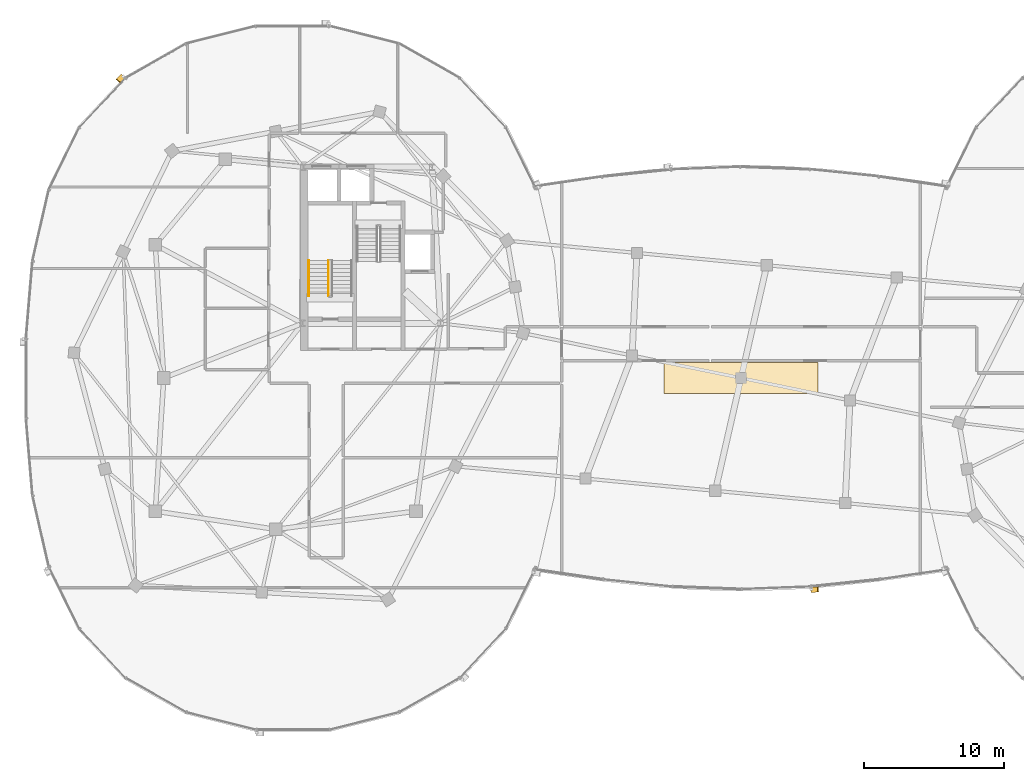
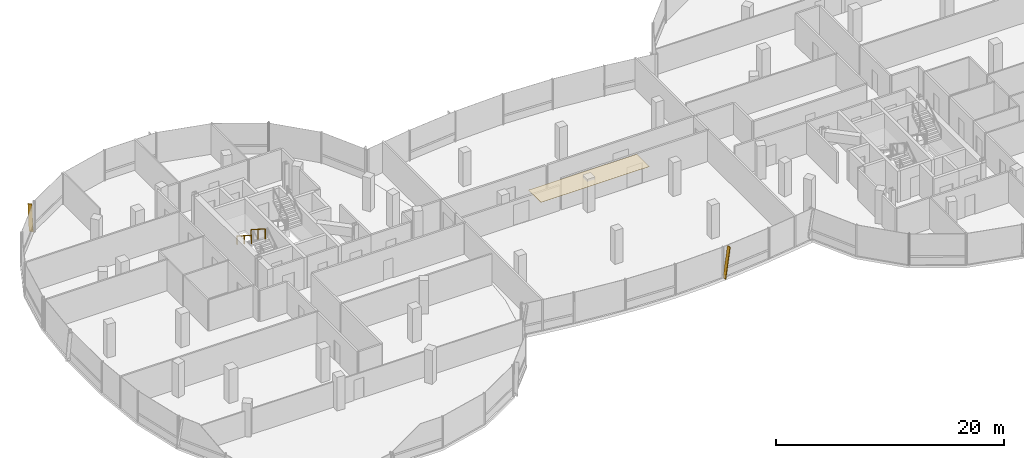
# One storey, part 23 of 26: 2 railings, 2 shading devices, 1 covering.
"""IFC4 building model written with IfcOpenShell, lengths in metres."""

from ifc_helpers import new_model, si_unit, direction, frame, origin, origin_2d, place, context, subcontext, project, spatial, polyline, rectangle, outline, extrude, material, layer, layer_set, material_profile, profile_set, type_object, element, save


model = new_model("IFC4")

# Units and contexts
model_context = context("Model", 3, precision=1e-05, world=origin(), true_north=direction((0.0, 1.0)))
body_context = subcontext(model_context, "Body", "Model", "MODEL_VIEW")
ifc_project = project(units=[si_unit("LENGTHUNIT", "METRE"), si_unit("AREAUNIT", "SQUARE_METRE"), si_unit("VOLUMEUNIT", "CUBIC_METRE"), si_unit("PLANEANGLEUNIT", "RADIAN"), si_unit("MASSUNIT", "GRAM", prefix="KILO"), si_unit("THERMODYNAMICTEMPERATUREUNIT", "KELVIN"), si_unit("POWERUNIT", "WATT")], contexts=[model_context])

# Site, building, storey
site_placement = place(None, origin())
site = spatial("IfcSite", under=ifc_project, at=site_placement, CompositionType="ELEMENT")
building_placement = place(site_placement, origin())
building = spatial("IfcBuilding", under=site, at=building_placement, Name="Cundina Bronze Exchange", CompositionType="ELEMENT")
storey_placement = place(building_placement, frame((0.0, 0.0, 264.800048828125)))
storey = spatial("IfcBuildingStorey", under=building, at=storey_placement, Name="L70", CompositionType="ELEMENT", Elevation=264.800048828125)

# Covering
ifc_material_1 = material(Name="Mineral Acoustic Ceiling Tile 18mm")
ifc_layer = layer(ifc_material_1, 0.01806640625, Name="Mineral Acoustic Ceiling Tile 18mm")
ifc_layer_set = layer_set([ifc_layer], Name="Mineral Acoustic Ceiling Tile 18mm")
covering_type = type_object("IfcCoveringType", Name="COV-CLG-AC18", PredefinedType="CEILING", material=ifc_layer_set)
covering_placement = place(storey_placement, frame((0.0, 0.0, 3.322021484375)))
element("IfcCovering", 1, at=covering_placement, inside=storey, type_object=covering_type, Name="L70 Suspended Mineral Acoustic Ceiling", PredefinedType="CEILING", context=body_context, shape_type="SweptSolid", body=[
    extrude(outline(polyline([(-5.5, -1.10009765625), (5.5, -1.10009765625), (5.5, 1.10009765625), (-5.5, 1.10009765625), (-5.5, -1.10009765625)])), origin(), (0.0, 0.0, 1.0), 0.017822265625),
])

# Railings
ifc_material_2 = material(Name="Steel ASTM A36 Painted", Category="steel")
railing_type_1 = type_object("IfcRailingType", Name="RLG-HND-900", PredefinedType="HANDRAIL", material=ifc_material_2)
railing_1_placement = place(storey_placement, frame((-30.85009765625, 8.3701171875, 1.97998046875)))
element("IfcRailing", 2, at=railing_1_placement, inside=storey, type_object=railing_type_1, Name="L70 ST-W1 stair handrail 2", PredefinedType="HANDRAIL", context=body_context, shape_type="SweptSolid", body=[
    extrude(rectangle(XDim=0.048095703125, YDim=0.048095703125, at=origin_2d()), frame((0.0, 0.0, 0.8759765625), z_axis=(0.0, -0.841199657755, 0.540724639528), x_axis=(1.0, 0.0, 0.0)), (0.0, 0.0, 1.0), 2.995849609375),
    extrude(rectangle(XDim=0.0419921875, YDim=0.0419921875, at=origin_2d()), origin(), (0.0, 0.0, 1.0), 0.851806640625),
    extrude(rectangle(XDim=0.0419921875, YDim=0.0419921875, at=origin_2d()), frame((0.0, -1.260009765625, 0.81005859375)), (0.0, 0.0, 1.0), 0.851806640625),
    extrude(rectangle(XDim=0.0419921875, YDim=0.0419921875, at=origin_2d()), frame((0.0, -2.52001953125, 1.619873046875)), (0.0, 0.0, 1.0), 0.851806640625),
])
railing_type_2 = type_object("IfcRailingType", Name="RLG-STG-1100", PredefinedType="GUARDRAIL", material=ifc_material_2)
railing_2_placement = place(storey_placement, frame((-29.449951171875, 8.3701171875, 1.97998046875)))
element("IfcRailing", 3, at=railing_2_placement, inside=storey, type_object=railing_type_2, Name="L70 ST-W1 stair guard 3", PredefinedType="GUARDRAIL", context=body_context, shape_type="SweptSolid", body=[
    extrude(rectangle(XDim=0.048095703125, YDim=0.048095703125, at=origin_2d()), frame((0.0, 0.0, 1.076171875), z_axis=(0.0, -0.841199657755, 0.540724639528), x_axis=(1.0, 0.0, 0.0)), (0.0, 0.0, 1.0), 2.995849609375),
    extrude(rectangle(XDim=0.0419921875, YDim=0.0419921875, at=origin_2d()), origin(), (0.0, 0.0, 1.0), 1.052001953125),
    extrude(rectangle(XDim=0.0419921875, YDim=0.0419921875, at=origin_2d()), frame((0.0, -1.260009765625, 0.81005859375)), (0.0, 0.0, 1.0), 1.052001953125),
    extrude(rectangle(XDim=0.0419921875, YDim=0.0419921875, at=origin_2d()), frame((0.0, -2.52001953125, 1.619873046875)), (0.0, 0.0, 1.0), 1.052001953125),
])

# Shading devices
ifc_material_3 = material(Name="Anodised Bronze Aluminium 6063-T6", Category="aluminium")
ifc_material_profile = material_profile(ifc_material_3, rectangle(XDim=0.070068359375, YDim=0.3798828125, at=origin_2d()), Name="FIN70X380", Category="aluminium")
ifc_profile_set = profile_set([ifc_material_profile], Name="Anodised Bronze Aluminium 6063-T6")
shading_device_type = type_object("IfcShadingDeviceType", Name="SHD-FIN-BRZ380", PredefinedType="USERDEFINED", material=ifc_profile_set)
shading_device_1_placement = place(storey_placement, frame((-44.122314453125, 21.55078125, 0.02001953125), z_axis=(-0.098541444371, -0.10491076507, 0.989587446926), x_axis=(0.677505727677, 0.721296959704, 0.143932918008)))
element("IfcShadingDevice", 4, at=shading_device_1_placement, inside=storey, type_object=shading_device_type, Name="L70 Diagonal Bronze Solar Fin 1", ObjectType="FIN", PredefinedType="USERDEFINED", context=body_context, shape_type="SweptSolid", body=[
    extrude(rectangle(XDim=0.070068359375, YDim=0.3798828125, at=origin_2d()), origin(), (0.0, 0.0, 1.0), 3.334716796875),
])
shading_device_2_placement = place(storey_placement, frame((5.0146484375, -15.12890625, 0.02001953125), z_axis=(0.145724273631, 0.015056932621, 0.989210657471), x_axis=(-0.983972150742, -0.101668733734, 0.14650008582)))
element("IfcShadingDevice", 5, at=shading_device_2_placement, inside=storey, type_object=shading_device_type, Name="L70 Diagonal Bronze Solar Fin 5", ObjectType="FIN", PredefinedType="USERDEFINED", context=body_context, shape_type="SweptSolid", body=[
    extrude(rectangle(XDim=0.070068359375, YDim=0.3798828125, at=origin_2d()), origin(), (0.0, 0.0, 1.0), 3.275390625),
])

save(model, "model.ifc")
